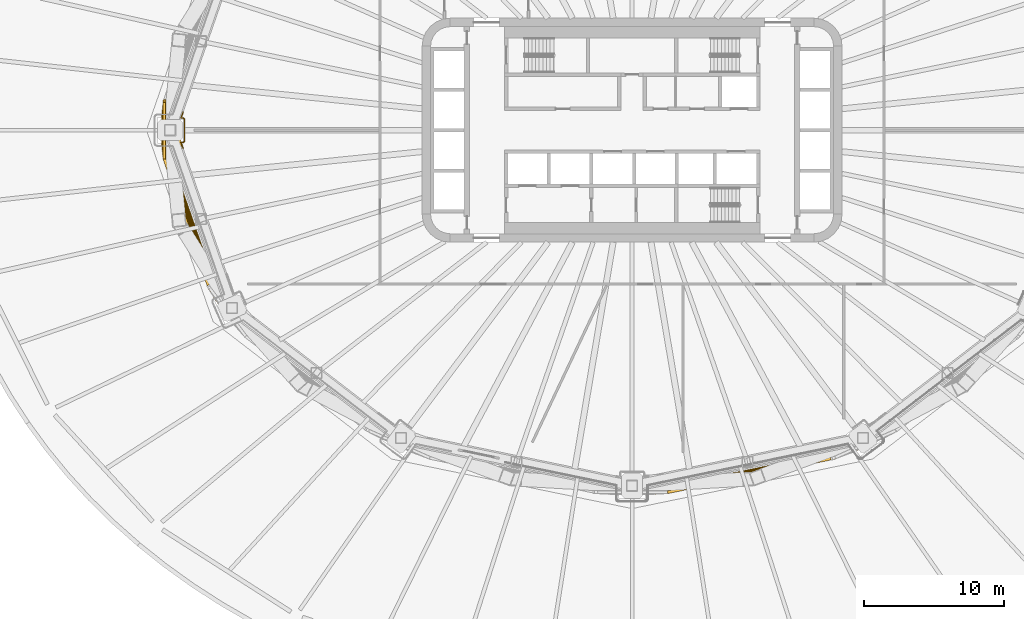
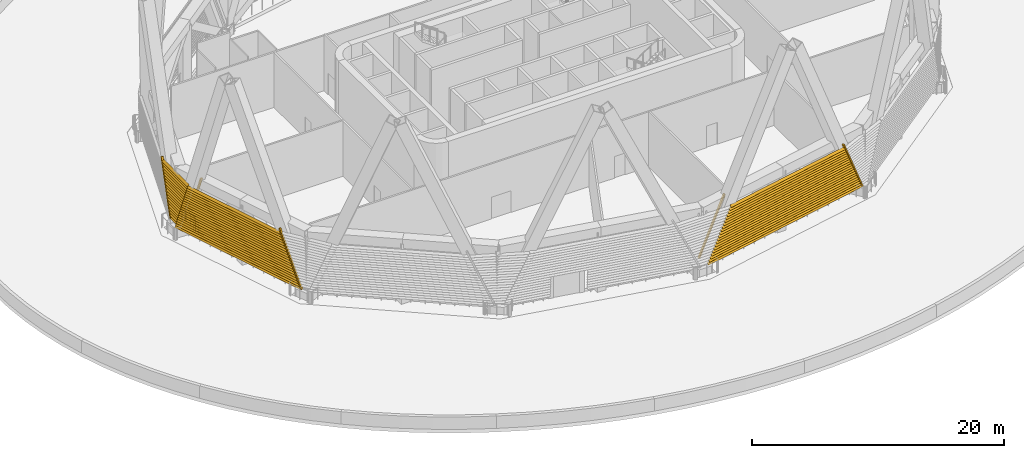
# One storey, part 18 of 27: 3 shading devices, 1 railing.
"""IFC4 building model written with IfcOpenShell, lengths in metres."""

from ifc_helpers import new_model, si_unit, direction, frame, origin, origin_2d, place, context, subcontext, project, spatial, rectangle, circle, extrude, material, type_object, element, save


model = new_model("IFC4")

# Units and contexts
model_context = context("Model", 3, precision=1e-05, world=origin(), true_north=direction((0.0, 1.0)))
body_context = subcontext(model_context, "Body", "Model", "MODEL_VIEW")
ifc_project = project(units=[si_unit("LENGTHUNIT", "METRE"), si_unit("AREAUNIT", "SQUARE_METRE"), si_unit("VOLUMEUNIT", "CUBIC_METRE"), si_unit("PLANEANGLEUNIT", "RADIAN"), si_unit("MASSUNIT", "GRAM", prefix="KILO")], contexts=[model_context])

# Site, building, storey
site_placement = place(None, origin())
site = spatial("IfcSite", under=ifc_project, at=site_placement, CompositionType="ELEMENT")
building_placement = place(site_placement, origin())
building = spatial("IfcBuilding", under=site, at=building_placement, Name="Sahrelin Media Tower", CompositionType="ELEMENT")
storey_placement = place(building_placement, frame((0.0, 0.0, 44.0)))
storey = spatial("IfcBuildingStorey", under=building, at=storey_placement, Name="L06", CompositionType="ELEMENT", Elevation=44.0)

# Railing
ifc_material_1 = material(Name="Stainless steel 316", Category="steel")
railing_type = type_object("IfcRailingType", Name="Maintenance platform guard", PredefinedType="GUARDRAIL", material=ifc_material_1)
railing_placement = place(storey_placement, frame((-32.07568359375, -1.2861328125, 0.0)))
element("IfcRailing", 1, at=railing_placement, inside=storey, type_object=railing_type, Name="Plant level edge guard 7", PredefinedType="GUARDRAIL", context=body_context, shape_type="SweptSolid", body=[
    extrude(circle(Radius=0.02392578125, at=origin_2d()), frame((0.0, 0.0, 1.17578125), z_axis=(-0.329165343973, 0.944272299883, 0.0), x_axis=(-0.944272299883, -0.329165343973, 0.0)), (0.0, 0.0, 1.0), 0.440673828125),
    extrude(circle(Radius=0.02392578125, at=origin_2d()), frame((-0.14501953125, 0.416015625, 1.17578125), z_axis=(1.0, 0.0, 0.0), x_axis=(0.0, 1.0, 0.0)), (0.0, 0.0, 1.0), 0.123291015625),
    extrude(circle(Radius=0.02392578125, at=origin_2d()), frame((-0.021728515625, 0.416015625, 1.17578125), z_axis=(0.997199309888, 0.074789948242, 0.0), x_axis=(-0.074789948242, 0.997199309888, 0.0)), (0.0, 0.0, 1.0), 0.009765625),
    extrude(circle(Radius=0.02392578125, at=origin_2d()), frame((-0.011962890625, 0.416748046875, 1.17578125), z_axis=(0.990341746674, 0.138647844534, 0.0), x_axis=(-0.138647844534, 0.990341746674, 0.0)), (0.0, 0.0, 1.0), 0.01220703125),
    extrude(circle(Radius=0.02392578125, at=origin_2d()), frame((0.000244140625, 0.41845703125, 1.17578125), z_axis=(0.965363393028, 0.260909025143, 0.0), x_axis=(-0.260909025143, 0.965363393028, 0.0)), (0.0, 0.0, 1.0), 0.00927734375),
    extrude(circle(Radius=0.02392578125, at=origin_2d()), frame((0.00927734375, 0.4208984375, 1.17578125), z_axis=(0.952215316532, 0.305427554359, 0.0), x_axis=(-0.305427554359, 0.952215316532, 0.0)), (0.0, 0.0, 1.0), 0.013671875),
    extrude(circle(Radius=0.02392578125, at=origin_2d()), frame((0.022216796875, 0.425048828125, 1.17578125), z_axis=(0.886914084167, 0.461934418837, 0.0), x_axis=(-0.461934418837, 0.886914084167, 0.0)), (0.0, 0.0, 1.0), 0.01318359375),
    extrude(circle(Radius=0.02392578125, at=origin_2d()), frame((0.033935546875, 0.43115234375, 1.17578125), z_axis=(0.860291533634, 0.509802390302, 0.0), x_axis=(-0.509802390302, 0.860291533634, 0.0)), (0.0, 0.0, 1.0), 0.007568359375),
    extrude(circle(Radius=0.02392578125, at=origin_2d()), frame((0.04052734375, 0.43505859375, 1.17578125), z_axis=(0.821588113591, 0.570081548206, 0.0), x_axis=(-0.570081548206, 0.821588113591, 0.0)), (0.0, 0.0, 1.0), 0.0146484375),
    extrude(circle(Radius=0.02392578125, at=origin_2d()), frame((0.052490234375, 0.443359375, 1.17578125), z_axis=(0.707106781187, 0.707106781187, 0.0), x_axis=(-0.707106781187, 0.707106781187, 0.0)), (0.0, 0.0, 1.0), 0.011474609375),
    extrude(circle(Radius=0.02392578125, at=origin_2d()), frame((0.060546875, 0.451416015625, 1.17578125), z_axis=(0.707106781187, 0.707106781187, 0.0), x_axis=(-0.707106781187, 0.707106781187, 0.0)), (0.0, 0.0, 1.0), 0.010986328125),
    extrude(circle(Radius=0.02392578125, at=origin_2d()), frame((0.068359375, 0.459228515625, 1.17578125), z_axis=(0.562310021407, 0.82692650207, 0.0), x_axis=(-0.82692650207, 0.562310021407, 0.0)), (0.0, 0.0, 1.0), 0.0146484375),
    extrude(circle(Radius=0.02392578125, at=origin_2d()), frame((0.07666015625, 0.471435546875, 1.17578125), z_axis=(0.509802390302, 0.860291533634, 0.0), x_axis=(-0.860291533634, 0.509802390302, 0.0)), (0.0, 0.0, 1.0), 0.007568359375),
    extrude(circle(Radius=0.02392578125, at=origin_2d()), frame((0.08056640625, 0.47802734375, 1.17578125), z_axis=(0.461934418837, 0.886914084167, 0.0), x_axis=(-0.886914084167, 0.461934418837, 0.0)), (0.0, 0.0, 1.0), 0.01318359375),
    extrude(circle(Radius=0.02392578125, at=origin_2d()), frame((0.086669921875, 0.48974609375, 1.17578125), z_axis=(0.310738856307, 0.950495325176, 0.0), x_axis=(-0.950495325176, 0.310738856307, 0.0)), (0.0, 0.0, 1.0), 0.013427734375),
    extrude(circle(Radius=0.02392578125, at=origin_2d()), frame((0.0908203125, 0.50244140625, 1.17578125), z_axis=(0.25449329928, 0.967074537263, 0.0), x_axis=(-0.967074537263, 0.25449329928, 0.0)), (0.0, 0.0, 1.0), 0.009521484375),
    extrude(circle(Radius=0.02392578125, at=origin_2d()), frame((0.09326171875, 0.51171875, 1.17578125), z_axis=(0.157990501107, 0.987440631917, 0.0), x_axis=(-0.987440631917, 0.157990501107, 0.0)), (0.0, 0.0, 1.0), 0.012451171875),
    extrude(circle(Radius=0.02392578125, at=origin_2d()), frame((0.09521484375, 0.52392578125, 1.17578125), z_axis=(0.049937616944, 0.998752338878, 0.0), x_axis=(-0.998752338878, 0.049937616944, 0.0)), (0.0, 0.0, 1.0), 0.009765625),
    extrude(circle(Radius=0.02392578125, at=origin_2d()), frame((0.095703125, 0.53369140625, 1.17578125), z_axis=(0.0, 1.0, 0.0), x_axis=(-1.0, 0.0, 0.0)), (0.0, 0.0, 1.0), 1.5048828125),
    extrude(circle(Radius=0.02392578125, at=origin_2d()), frame((0.095703125, 2.03857421875, 1.17578125), z_axis=(-0.049937616944, 0.998752338878, 0.0), x_axis=(-0.998752338878, -0.049937616944, 0.0)), (0.0, 0.0, 1.0), 0.009765625),
    extrude(circle(Radius=0.02392578125, at=origin_2d()), frame((0.09521484375, 2.04833984375, 1.17578125), z_axis=(-0.157990501107, 0.987440631917, 0.0), x_axis=(-0.987440631917, -0.157990501107, 0.0)), (0.0, 0.0, 1.0), 0.012451171875),
    extrude(circle(Radius=0.02392578125, at=origin_2d()), frame((0.09326171875, 2.060546875, 1.17578125), z_axis=(-0.25449329928, 0.967074537263, 0.0), x_axis=(-0.967074537263, -0.25449329928, 0.0)), (0.0, 0.0, 1.0), 0.009521484375),
    extrude(circle(Radius=0.02392578125, at=origin_2d()), frame((0.0908203125, 2.06982421875, 1.17578125), z_axis=(-0.310738856307, 0.950495325176, 0.0), x_axis=(-0.950495325176, -0.310738856307, 0.0)), (0.0, 0.0, 1.0), 0.013427734375),
    extrude(circle(Radius=0.02392578125, at=origin_2d()), frame((0.086669921875, 2.08251953125, 1.17578125), z_axis=(-0.461934418837, 0.886914084167, 0.0), x_axis=(-0.886914084167, -0.461934418837, 0.0)), (0.0, 0.0, 1.0), 0.01318359375),
    extrude(circle(Radius=0.02392578125, at=origin_2d()), frame((0.08056640625, 2.09423828125, 1.17578125), z_axis=(-0.509802390302, 0.860291533634, 0.0), x_axis=(-0.860291533634, -0.509802390302, 0.0)), (0.0, 0.0, 1.0), 0.007568359375),
    extrude(circle(Radius=0.02392578125, at=origin_2d()), frame((0.07666015625, 2.100830078125, 1.17578125), z_axis=(-0.562310021407, 0.82692650207, 0.0), x_axis=(-0.82692650207, -0.562310021407, 0.0)), (0.0, 0.0, 1.0), 0.0146484375),
    extrude(circle(Radius=0.02392578125, at=origin_2d()), frame((0.068359375, 2.113037109375, 1.17578125), z_axis=(-0.707106781187, 0.707106781187, 0.0), x_axis=(-0.707106781187, -0.707106781187, 0.0)), (0.0, 0.0, 1.0), 0.010986328125),
    extrude(circle(Radius=0.02392578125, at=origin_2d()), frame((0.060546875, 2.120849609375, 1.17578125), z_axis=(-0.707106781187, 0.707106781187, 0.0), x_axis=(-0.707106781187, -0.707106781187, 0.0)), (0.0, 0.0, 1.0), 0.011474609375),
    extrude(circle(Radius=0.02392578125, at=origin_2d()), frame((0.052490234375, 2.12890625, 1.17578125), z_axis=(-0.821588113591, 0.570081548206, 0.0), x_axis=(-0.570081548206, -0.821588113591, 0.0)), (0.0, 0.0, 1.0), 0.0146484375),
    extrude(circle(Radius=0.02392578125, at=origin_2d()), frame((0.04052734375, 2.13720703125, 1.17578125), z_axis=(-0.860291533634, 0.509802390302, 0.0), x_axis=(-0.509802390302, -0.860291533634, 0.0)), (0.0, 0.0, 1.0), 0.007568359375),
    extrude(circle(Radius=0.02392578125, at=origin_2d()), frame((0.033935546875, 2.14111328125, 1.17578125), z_axis=(-0.886914084167, 0.461934418837, 0.0), x_axis=(-0.461934418837, -0.886914084167, 0.0)), (0.0, 0.0, 1.0), 0.01318359375),
    extrude(circle(Radius=0.02392578125, at=origin_2d()), frame((0.022216796875, 2.147216796875, 1.17578125), z_axis=(-0.952215316532, 0.305427554359, 0.0), x_axis=(-0.305427554359, -0.952215316532, 0.0)), (0.0, 0.0, 1.0), 0.013671875),
    extrude(circle(Radius=0.02392578125, at=origin_2d()), frame((0.00927734375, 2.1513671875, 1.17578125), z_axis=(-0.965363393028, 0.260909025143, 0.0), x_axis=(-0.260909025143, -0.965363393028, 0.0)), (0.0, 0.0, 1.0), 0.00927734375),
    extrude(circle(Radius=0.02392578125, at=origin_2d()), frame((0.000244140625, 2.15380859375, 1.17578125), z_axis=(-0.990341746674, 0.138647844534, 0.0), x_axis=(-0.138647844534, -0.990341746674, 0.0)), (0.0, 0.0, 1.0), 0.01220703125),
    extrude(circle(Radius=0.02392578125, at=origin_2d()), frame((-0.011962890625, 2.155517578125, 1.17578125), z_axis=(-0.997199309888, 0.074789948242, 0.0), x_axis=(-0.074789948242, -0.997199309888, 0.0)), (0.0, 0.0, 1.0), 0.009765625),
    extrude(circle(Radius=0.02392578125, at=origin_2d()), frame((-0.021728515625, 2.15625, 1.17578125), z_axis=(-1.0, 0.0, 0.0), x_axis=(0.0, -1.0, 0.0)), (0.0, 0.0, 1.0), 0.123291015625),
    extrude(circle(Radius=0.02392578125, at=origin_2d()), frame((-0.14501953125, 2.15625, 1.17578125), z_axis=(0.329165343973, 0.944272299883, 0.0), x_axis=(-0.944272299883, 0.329165343973, 0.0)), (0.0, 0.0, 1.0), 0.440673828125),
    extrude(circle(Radius=0.02099609375, at=origin_2d()), origin(), (0.0, 0.0, 1.0), 1.15185546875),
    extrude(circle(Radius=0.02099609375, at=origin_2d()), frame((-0.14501953125, 0.416015625, 0.0)), (0.0, 0.0, 1.0), 1.15185546875),
    extrude(circle(Radius=0.02099609375, at=origin_2d()), frame((-0.021728515625, 0.416015625, 0.0)), (0.0, 0.0, 1.0), 1.15185546875),
    extrude(circle(Radius=0.02099609375, at=origin_2d()), frame((-0.011962890625, 0.416748046875, 0.0)), (0.0, 0.0, 1.0), 1.15185546875),
    extrude(circle(Radius=0.02099609375, at=origin_2d()), frame((0.000244140625, 0.41845703125, 0.0)), (0.0, 0.0, 1.0), 1.15185546875),
    extrude(circle(Radius=0.02099609375, at=origin_2d()), frame((0.00927734375, 0.4208984375, 0.0)), (0.0, 0.0, 1.0), 1.15185546875),
    extrude(circle(Radius=0.02099609375, at=origin_2d()), frame((0.022216796875, 0.425048828125, 0.0)), (0.0, 0.0, 1.0), 1.15185546875),
    extrude(circle(Radius=0.02099609375, at=origin_2d()), frame((0.033935546875, 0.43115234375, 0.0)), (0.0, 0.0, 1.0), 1.15185546875),
    extrude(circle(Radius=0.02099609375, at=origin_2d()), frame((0.04052734375, 0.43505859375, 0.0)), (0.0, 0.0, 1.0), 1.15185546875),
    extrude(circle(Radius=0.02099609375, at=origin_2d()), frame((0.052490234375, 0.443359375, 0.0)), (0.0, 0.0, 1.0), 1.15185546875),
    extrude(circle(Radius=0.02099609375, at=origin_2d()), frame((0.060546875, 0.451416015625, 0.0)), (0.0, 0.0, 1.0), 1.15185546875),
    extrude(circle(Radius=0.02099609375, at=origin_2d()), frame((0.068359375, 0.459228515625, 0.0)), (0.0, 0.0, 1.0), 1.15185546875),
    extrude(circle(Radius=0.02099609375, at=origin_2d()), frame((0.07666015625, 0.471435546875, 0.0)), (0.0, 0.0, 1.0), 1.15185546875),
    extrude(circle(Radius=0.02099609375, at=origin_2d()), frame((0.08056640625, 0.47802734375, 0.0)), (0.0, 0.0, 1.0), 1.15185546875),
    extrude(circle(Radius=0.02099609375, at=origin_2d()), frame((0.086669921875, 0.48974609375, 0.0)), (0.0, 0.0, 1.0), 1.15185546875),
    extrude(circle(Radius=0.02099609375, at=origin_2d()), frame((0.0908203125, 0.50244140625, 0.0)), (0.0, 0.0, 1.0), 1.15185546875),
    extrude(circle(Radius=0.02099609375, at=origin_2d()), frame((0.09326171875, 0.51171875, 0.0)), (0.0, 0.0, 1.0), 1.15185546875),
    extrude(circle(Radius=0.02099609375, at=origin_2d()), frame((0.09521484375, 0.52392578125, 0.0)), (0.0, 0.0, 1.0), 1.15185546875),
    extrude(circle(Radius=0.02099609375, at=origin_2d()), frame((0.095703125, 0.53369140625, 0.0)), (0.0, 0.0, 1.0), 1.15185546875),
    extrude(circle(Radius=0.02099609375, at=origin_2d()), frame((0.095703125, 1.2861328125, 0.0)), (0.0, 0.0, 1.0), 1.15185546875),
    extrude(circle(Radius=0.02099609375, at=origin_2d()), frame((0.095703125, 2.03857421875, 0.0)), (0.0, 0.0, 1.0), 1.15185546875),
    extrude(circle(Radius=0.02099609375, at=origin_2d()), frame((0.09521484375, 2.04833984375, 0.0)), (0.0, 0.0, 1.0), 1.15185546875),
    extrude(circle(Radius=0.02099609375, at=origin_2d()), frame((0.09326171875, 2.060546875, 0.0)), (0.0, 0.0, 1.0), 1.15185546875),
    extrude(circle(Radius=0.02099609375, at=origin_2d()), frame((0.0908203125, 2.06982421875, 0.0)), (0.0, 0.0, 1.0), 1.15185546875),
    extrude(circle(Radius=0.02099609375, at=origin_2d()), frame((0.086669921875, 2.08251953125, 0.0)), (0.0, 0.0, 1.0), 1.15185546875),
    extrude(circle(Radius=0.02099609375, at=origin_2d()), frame((0.08056640625, 2.09423828125, 0.0)), (0.0, 0.0, 1.0), 1.15185546875),
    extrude(circle(Radius=0.02099609375, at=origin_2d()), frame((0.07666015625, 2.100830078125, 0.0)), (0.0, 0.0, 1.0), 1.15185546875),
    extrude(circle(Radius=0.02099609375, at=origin_2d()), frame((0.068359375, 2.113037109375, 0.0)), (0.0, 0.0, 1.0), 1.15185546875),
    extrude(circle(Radius=0.02099609375, at=origin_2d()), frame((0.060546875, 2.120849609375, 0.0)), (0.0, 0.0, 1.0), 1.15185546875),
    extrude(circle(Radius=0.02099609375, at=origin_2d()), frame((0.052490234375, 2.12890625, 0.0)), (0.0, 0.0, 1.0), 1.15185546875),
    extrude(circle(Radius=0.02099609375, at=origin_2d()), frame((0.04052734375, 2.13720703125, 0.0)), (0.0, 0.0, 1.0), 1.15185546875),
    extrude(circle(Radius=0.02099609375, at=origin_2d()), frame((0.033935546875, 2.14111328125, 0.0)), (0.0, 0.0, 1.0), 1.15185546875),
    extrude(circle(Radius=0.02099609375, at=origin_2d()), frame((0.022216796875, 2.147216796875, 0.0)), (0.0, 0.0, 1.0), 1.15185546875),
    extrude(circle(Radius=0.02099609375, at=origin_2d()), frame((0.00927734375, 2.1513671875, 0.0)), (0.0, 0.0, 1.0), 1.15185546875),
    extrude(circle(Radius=0.02099609375, at=origin_2d()), frame((0.000244140625, 2.15380859375, 0.0)), (0.0, 0.0, 1.0), 1.15185546875),
    extrude(circle(Radius=0.02099609375, at=origin_2d()), frame((-0.011962890625, 2.155517578125, 0.0)), (0.0, 0.0, 1.0), 1.15185546875),
    extrude(circle(Radius=0.02099609375, at=origin_2d()), frame((-0.021728515625, 2.15625, 0.0)), (0.0, 0.0, 1.0), 1.15185546875),
    extrude(circle(Radius=0.02099609375, at=origin_2d()), frame((-0.14501953125, 2.15625, 0.0)), (0.0, 0.0, 1.0), 1.15185546875),
    extrude(circle(Radius=0.02099609375, at=origin_2d()), frame((0.0, 2.572265625, 0.0)), (0.0, 0.0, 1.0), 1.15185546875),
])

# Shading devices
ifc_material_2 = material(Name="Champagne anodised aluminium 6063-T6", Category="aluminium")
shading_device_type = type_object("IfcShadingDeviceType", Name="Sand-rejection louvre band", PredefinedType="USERDEFINED", material=ifc_material_2)
shading_device_1_placement = place(storey_placement, frame((-33.0, 0.0, 0.0), z_axis=(0.0, 0.0, 1.0), x_axis=(0.0, 1.0, 0.0)))
element("IfcShadingDevice", 2, at=shading_device_1_placement, inside=storey, type_object=shading_device_type, Name="L06:LOUVRE:L06-12", ObjectType="LOUVRE", PredefinedType="USERDEFINED", context=body_context, shape_type="SweptSolid", body=[
    extrude(rectangle(XDim=0.199951171875, YDim=0.1201171875, at=origin_2d()), frame((0.427001953125, 0.561279296875, 1.050048828125), z_axis=(0.331165646948, -0.032336356103, 0.943018384951), x_axis=(0.097181868891, 0.99526663983, 0.0)), (0.0, 0.0, 1.0), 5.1943359375),
    extrude(rectangle(XDim=0.199951171875, YDim=0.1201171875, at=origin_2d()), frame((-0.310302734375, -0.633056640625, 1.050048828125), z_axis=(-0.331166149897, -0.032289404624, 0.943019817136), x_axis=(0.09704194733, -0.995280292409, 0.0)), (0.0, 0.0, 1.0), 5.1943359375),
    extrude(rectangle(XDim=0.25, YDim=0.02001953125, at=origin_2d()), frame((0.46240234375, 0.560546875, 1.14990234375), z_axis=(-1.0, 0.0, 0.0), x_axis=(0.0, -0.766044443119, 0.642787609687)), (0.0, 0.0, 1.0), 0.9248046875),
    extrude(rectangle(XDim=0.25, YDim=0.02001953125, at=origin_2d()), frame((0.550048828125, 0.552001953125, 1.39990234375), z_axis=(-1.0, 0.0, 0.0), x_axis=(0.0, -0.766044443119, 0.642787609687)), (0.0, 0.0, 1.0), 1.10009765625),
    extrude(rectangle(XDim=0.25, YDim=0.02001953125, at=origin_2d()), frame((0.637939453125, 0.54345703125, 1.64990234375), z_axis=(-1.0, 0.0, 0.0), x_axis=(0.0, -0.766044443119, 0.642787609687)), (0.0, 0.0, 1.0), 1.27587890625),
    extrude(rectangle(XDim=0.25, YDim=0.02001953125, at=origin_2d()), frame((0.7255859375, 0.534912109375, 1.89990234375), z_axis=(-1.0, 0.0, 0.0), x_axis=(0.0, -0.766044443119, 0.642787609687)), (0.0, 0.0, 1.0), 1.451171875),
    extrude(rectangle(XDim=0.25, YDim=0.02001953125, at=origin_2d()), frame((0.8134765625, 0.5263671875, 2.14990234375), z_axis=(-1.0, 0.0, 0.0), x_axis=(0.0, -0.766044443119, 0.642787609687)), (0.0, 0.0, 1.0), 1.626953125),
    extrude(rectangle(XDim=0.25, YDim=0.02001953125, at=origin_2d()), frame((0.9013671875, 0.517822265625, 2.39990234375), z_axis=(-1.0, 0.0, 0.0), x_axis=(0.0, -0.766044443119, 0.642787609687)), (0.0, 0.0, 1.0), 1.802734375),
    extrude(rectangle(XDim=0.25, YDim=0.02001953125, at=origin_2d()), frame((0.989013671875, 0.50927734375, 2.64990234375), z_axis=(-1.0, 0.0, 0.0), x_axis=(0.0, -0.766044443119, 0.642787609687)), (0.0, 0.0, 1.0), 1.97802734375),
    extrude(rectangle(XDim=0.25, YDim=0.02001953125, at=origin_2d()), frame((1.076904296875, 0.500732421875, 2.89990234375), z_axis=(-1.0, 0.0, 0.0), x_axis=(0.0, -0.766044443119, 0.642787609687)), (0.0, 0.0, 1.0), 2.15380859375),
    extrude(rectangle(XDim=0.25, YDim=0.02001953125, at=origin_2d()), frame((1.16455078125, 0.4921875, 3.14990234375), z_axis=(-1.0, 0.0, 0.0), x_axis=(0.0, -0.766044443119, 0.642787609687)), (0.0, 0.0, 1.0), 2.3291015625),
    extrude(rectangle(XDim=0.25, YDim=0.02001953125, at=origin_2d()), frame((1.25244140625, 0.483642578125, 3.39990234375), z_axis=(-1.0, 0.0, 0.0), x_axis=(0.0, -0.766044443119, 0.642787609687)), (0.0, 0.0, 1.0), 2.5048828125),
    extrude(rectangle(XDim=0.25, YDim=0.02001953125, at=origin_2d()), frame((1.340087890625, 0.47509765625, 3.64990234375), z_axis=(-1.0, 0.0, 0.0), x_axis=(0.0, -0.766044443119, 0.642787609687)), (0.0, 0.0, 1.0), 2.68017578125),
    extrude(rectangle(XDim=0.25, YDim=0.02001953125, at=origin_2d()), frame((1.427978515625, 0.46630859375, 3.89990234375), z_axis=(-1.0, 0.0, 0.0), x_axis=(0.0, -0.766044443119, 0.642787609687)), (0.0, 0.0, 1.0), 2.85595703125),
    extrude(rectangle(XDim=0.25, YDim=0.02001953125, at=origin_2d()), frame((1.515869140625, 0.4580078125, 4.14990234375), z_axis=(-1.0, 0.0, 0.0), x_axis=(0.0, -0.766044443119, 0.642787609687)), (0.0, 0.0, 1.0), 3.03173828125),
    extrude(rectangle(XDim=0.25, YDim=0.02001953125, at=origin_2d()), frame((1.603515625, 0.44921875, 4.39990234375), z_axis=(-1.0, 0.0, 0.0), x_axis=(0.0, -0.766044443119, 0.642787609687)), (0.0, 0.0, 1.0), 3.20703125),
    extrude(rectangle(XDim=0.25, YDim=0.02001953125, at=origin_2d()), frame((1.69140625, 0.440673828125, 4.64990234375), z_axis=(-1.0, 0.0, 0.0), x_axis=(0.0, -0.766044443119, 0.642787609687)), (0.0, 0.0, 1.0), 3.3828125),
    extrude(rectangle(XDim=0.25, YDim=0.02001953125, at=origin_2d()), frame((1.779052734375, 0.43212890625, 4.89990234375), z_axis=(-1.0, 0.0, 0.0), x_axis=(0.0, -0.766044443119, 0.642787609687)), (0.0, 0.0, 1.0), 3.55810546875),
    extrude(rectangle(XDim=0.25, YDim=0.02001953125, at=origin_2d()), frame((1.866943359375, 0.423583984375, 5.14990234375), z_axis=(-1.0, 0.0, 0.0), x_axis=(0.0, -0.766044443119, 0.642787609687)), (0.0, 0.0, 1.0), 3.73388671875),
    extrude(rectangle(XDim=0.25, YDim=0.02001953125, at=origin_2d()), frame((1.95458984375, 0.4150390625, 5.39990234375), z_axis=(-1.0, 0.0, 0.0), x_axis=(0.0, -0.766044443119, 0.642787609687)), (0.0, 0.0, 1.0), 3.9091796875),
    extrude(rectangle(XDim=0.25, YDim=0.02001953125, at=origin_2d()), frame((2.04248046875, 0.406494140625, 5.64990234375), z_axis=(-1.0, 0.0, 0.0), x_axis=(0.0, -0.766044443119, 0.642787609687)), (0.0, 0.0, 1.0), 4.0849609375),
])
shading_device_2_placement = place(storey_placement, frame((-30.802734375, -6.3115234375, 0.0), z_axis=(0.0, 0.0, 1.0), x_axis=(-0.32879986848, 0.94439962224, 0.0)))
element("IfcShadingDevice", 3, at=shading_device_2_placement, inside=storey, type_object=shading_device_type, Name="L06:LOUVRE:L06-13", ObjectType="LOUVRE", PredefinedType="USERDEFINED", context=body_context, shape_type="SweptSolid", body=[
    extrude(rectangle(XDim=0.199951171875, YDim=0.1201171875, at=origin_2d()), frame((6.31884765625, -0.529052734375, 0.64990234375), z_axis=(-0.323326366317, 0.078343964315, 0.943038856092), x_axis=(-0.235491615901, -0.971876380431, 0.0)), (0.0, 0.0, 1.0), 5.61865234375),
    extrude(rectangle(XDim=0.199951171875, YDim=0.1201171875, at=origin_2d()), frame((-6.660400390625, 0.63916015625, 0.64990234375), z_axis=(0.341735935027, 0.077806527447, 0.936569642364), x_axis=(-0.22199893607, 0.975046907786, 0.0)), (0.0, 0.0, 1.0), 5.657470703125),
    extrude(rectangle(XDim=0.25, YDim=0.02001953125, at=origin_2d()), frame((6.5712890625, 0.662353515625, 0.75), z_axis=(-1.0, 0.0, 0.0), x_axis=(0.0, -0.766044443119, 0.642787609687)), (0.0, 0.0, 1.0), 13.19873046875),
    extrude(rectangle(XDim=0.25, YDim=0.02001953125, at=origin_2d()), frame((6.485595703125, 0.68310546875, 1.0), z_axis=(-1.0, 0.0, 0.0), x_axis=(0.0, -0.766044443119, 0.642787609687)), (0.0, 0.0, 1.0), 13.021728515625),
    extrude(rectangle(XDim=0.25, YDim=0.02001953125, at=origin_2d()), frame((6.39990234375, 0.703857421875, 1.25), z_axis=(-1.0, 0.0, 0.0), x_axis=(0.0, -0.766044443119, 0.642787609687)), (0.0, 0.0, 1.0), 12.844970703125),
    extrude(rectangle(XDim=0.25, YDim=0.02001953125, at=origin_2d()), frame((6.314208984375, 0.724609375, 1.5), z_axis=(-1.0, 0.0, 0.0), x_axis=(0.0, -0.766044443119, 0.642787609687)), (0.0, 0.0, 1.0), 12.66796875),
    extrude(rectangle(XDim=0.25, YDim=0.02001953125, at=origin_2d()), frame((6.228515625, 0.745361328125, 1.75), z_axis=(-1.0, 0.0, 0.0), x_axis=(0.0, -0.766044443119, 0.642787609687)), (0.0, 0.0, 1.0), 12.4912109375),
    extrude(rectangle(XDim=0.25, YDim=0.02001953125, at=origin_2d()), frame((6.142578125, 0.76611328125, 2.0), z_axis=(-1.0, 0.0, 0.0), x_axis=(0.0, -0.766044443119, 0.642787609687)), (0.0, 0.0, 1.0), 12.31396484375),
    extrude(rectangle(XDim=0.25, YDim=0.02001953125, at=origin_2d()), frame((6.056884765625, 0.787109375, 2.25), z_axis=(-1.0, 0.0, 0.0), x_axis=(0.0, -0.766044443119, 0.642787609687)), (0.0, 0.0, 1.0), 12.136962890625),
    extrude(rectangle(XDim=0.25, YDim=0.02001953125, at=origin_2d()), frame((5.97119140625, 0.8076171875, 2.5), z_axis=(-1.0, 0.0, 0.0), x_axis=(0.0, -0.766044443119, 0.642787609687)), (0.0, 0.0, 1.0), 11.960205078125),
    extrude(rectangle(XDim=0.25, YDim=0.02001953125, at=origin_2d()), frame((5.885498046875, 0.82861328125, 2.75), z_axis=(-1.0, 0.0, 0.0), x_axis=(0.0, -0.766044443119, 0.642787609687)), (0.0, 0.0, 1.0), 11.783203125),
    extrude(rectangle(XDim=0.25, YDim=0.02001953125, at=origin_2d()), frame((5.7998046875, 0.849365234375, 3.0), z_axis=(-1.0, 0.0, 0.0), x_axis=(0.0, -0.766044443119, 0.642787609687)), (0.0, 0.0, 1.0), 11.606201171875),
    extrude(rectangle(XDim=0.25, YDim=0.02001953125, at=origin_2d()), frame((5.714111328125, 0.8701171875, 3.25), z_axis=(-1.0, 0.0, 0.0), x_axis=(0.0, -0.766044443119, 0.642787609687)), (0.0, 0.0, 1.0), 11.42919921875),
    extrude(rectangle(XDim=0.25, YDim=0.02001953125, at=origin_2d()), frame((5.62841796875, 0.890869140625, 3.5), z_axis=(-1.0, 0.0, 0.0), x_axis=(0.0, -0.766044443119, 0.642787609687)), (0.0, 0.0, 1.0), 11.25244140625),
    extrude(rectangle(XDim=0.25, YDim=0.02001953125, at=origin_2d()), frame((5.542724609375, 0.91162109375, 3.75), z_axis=(-1.0, 0.0, 0.0), x_axis=(0.0, -0.766044443119, 0.642787609687)), (0.0, 0.0, 1.0), 11.075439453125),
    extrude(rectangle(XDim=0.25, YDim=0.02001953125, at=origin_2d()), frame((5.45703125, 0.932373046875, 4.0), z_axis=(-1.0, 0.0, 0.0), x_axis=(0.0, -0.766044443119, 0.642787609687)), (0.0, 0.0, 1.0), 10.898681640625),
    extrude(rectangle(XDim=0.25, YDim=0.02001953125, at=origin_2d()), frame((5.371337890625, 0.953125, 4.25), z_axis=(-1.0, 0.0, 0.0), x_axis=(0.0, -0.766044443119, 0.642787609687)), (0.0, 0.0, 1.0), 10.7216796875),
    extrude(rectangle(XDim=0.25, YDim=0.02001953125, at=origin_2d()), frame((5.285400390625, 0.973876953125, 4.5), z_axis=(-1.0, 0.0, 0.0), x_axis=(0.0, -0.766044443119, 0.642787609687)), (0.0, 0.0, 1.0), 10.54443359375),
    extrude(rectangle(XDim=0.25, YDim=0.02001953125, at=origin_2d()), frame((5.19970703125, 0.99462890625, 4.75), z_axis=(-1.0, 0.0, 0.0), x_axis=(0.0, -0.766044443119, 0.642787609687)), (0.0, 0.0, 1.0), 10.36767578125),
    extrude(rectangle(XDim=0.25, YDim=0.02001953125, at=origin_2d()), frame((5.114013671875, 1.015380859375, 5.0), z_axis=(-1.0, 0.0, 0.0), x_axis=(0.0, -0.766044443119, 0.642787609687)), (0.0, 0.0, 1.0), 10.190673828125),
    extrude(rectangle(XDim=0.25, YDim=0.02001953125, at=origin_2d()), frame((5.0283203125, 1.036376953125, 5.25), z_axis=(-1.0, 0.0, 0.0), x_axis=(0.0, -0.766044443119, 0.642787609687)), (0.0, 0.0, 1.0), 10.013916015625),
    extrude(rectangle(XDim=0.25, YDim=0.02001953125, at=origin_2d()), frame((4.942626953125, 1.056884765625, 5.5), z_axis=(-1.0, 0.0, 0.0), x_axis=(0.0, -0.766044443119, 0.642787609687)), (0.0, 0.0, 1.0), 9.8369140625),
])
shading_device_3_placement = place(storey_placement, frame((8.280029296875, -23.6923828125, 0.0), z_axis=(0.0, 0.0, 1.0), x_axis=(-0.979386112403, -0.201997135701, 0.0)))
element("IfcShadingDevice", 4, at=shading_device_3_placement, inside=storey, type_object=shading_device_type, Name="L06:LOUVRE:L06-19", ObjectType="LOUVRE", PredefinedType="USERDEFINED", context=body_context, shape_type="SweptSolid", body=[
    extrude(rectangle(XDim=0.199951171875, YDim=0.1201171875, at=origin_2d()), frame((8.073486328125, -0.550537109375, 0.64990234375), z_axis=(-0.41124293034, 0.06030557187, 0.909528718759), x_axis=(-0.145090498409, -0.989418388384, 0.0)), (0.0, 0.0, 1.0), 5.82568359375),
    extrude(rectangle(XDim=0.199951171875, YDim=0.1201171875, at=origin_2d()), frame((-8.200927734375, 0.63623046875, 0.64990234375), z_axis=(0.397844932486, 0.060739684349, 0.91543983988), x_axis=(-0.150922980828, 0.988545524424, 0.0)), (0.0, 0.0, 1.0), 5.7880859375),
    extrude(rectangle(XDim=0.25, YDim=0.02001953125, at=origin_2d()), frame((8.203369140625, 0.64990234375, 0.75), z_axis=(-1.0, 0.0, 0.0), x_axis=(0.0, -0.766044443119, 0.642787609687)), (0.0, 0.0, 1.0), 16.36181640625),
    extrude(rectangle(XDim=0.25, YDim=0.02001953125, at=origin_2d()), frame((8.09033203125, 0.666259765625, 1.0), z_axis=(-1.0, 0.0, 0.0), x_axis=(0.0, -0.766044443119, 0.642787609687)), (0.0, 0.0, 1.0), 16.14013671875),
    extrude(rectangle(XDim=0.25, YDim=0.02001953125, at=origin_2d()), frame((7.977294921875, 0.682861328125, 1.25), z_axis=(-1.0, 0.0, 0.0), x_axis=(0.0, -0.766044443119, 0.642787609687)), (0.0, 0.0, 1.0), 15.918701171875),
    extrude(rectangle(XDim=0.25, YDim=0.02001953125, at=origin_2d()), frame((7.8642578125, 0.699462890625, 1.5), z_axis=(-1.0, 0.0, 0.0), x_axis=(0.0, -0.766044443119, 0.642787609687)), (0.0, 0.0, 1.0), 15.69677734375),
    extrude(rectangle(XDim=0.25, YDim=0.02001953125, at=origin_2d()), frame((7.751220703125, 0.716064453125, 1.75), z_axis=(-1.0, 0.0, 0.0), x_axis=(0.0, -0.766044443119, 0.642787609687)), (0.0, 0.0, 1.0), 15.475341796875),
    extrude(rectangle(XDim=0.25, YDim=0.02001953125, at=origin_2d()), frame((7.63818359375, 0.732666015625, 2.0), z_axis=(-1.0, 0.0, 0.0), x_axis=(0.0, -0.766044443119, 0.642787609687)), (0.0, 0.0, 1.0), 15.25341796875),
    extrude(rectangle(XDim=0.25, YDim=0.02001953125, at=origin_2d()), frame((7.525146484375, 0.749267578125, 2.25), z_axis=(-1.0, 0.0, 0.0), x_axis=(0.0, -0.766044443119, 0.642787609687)), (0.0, 0.0, 1.0), 15.03173828125),
    extrude(rectangle(XDim=0.25, YDim=0.02001953125, at=origin_2d()), frame((7.412109375, 0.765869140625, 2.5), z_axis=(-1.0, 0.0, 0.0), x_axis=(0.0, -0.766044443119, 0.642787609687)), (0.0, 0.0, 1.0), 14.81005859375),
    extrude(rectangle(XDim=0.25, YDim=0.02001953125, at=origin_2d()), frame((7.299072265625, 0.782470703125, 2.75), z_axis=(-1.0, 0.0, 0.0), x_axis=(0.0, -0.766044443119, 0.642787609687)), (0.0, 0.0, 1.0), 14.58837890625),
    extrude(rectangle(XDim=0.25, YDim=0.02001953125, at=origin_2d()), frame((7.18603515625, 0.799072265625, 3.0), z_axis=(-1.0, 0.0, 0.0), x_axis=(0.0, -0.766044443119, 0.642787609687)), (0.0, 0.0, 1.0), 14.366943359375),
    extrude(rectangle(XDim=0.25, YDim=0.02001953125, at=origin_2d()), frame((7.072998046875, 0.815673828125, 3.25), z_axis=(-1.0, 0.0, 0.0), x_axis=(0.0, -0.766044443119, 0.642787609687)), (0.0, 0.0, 1.0), 14.14501953125),
    extrude(rectangle(XDim=0.25, YDim=0.02001953125, at=origin_2d()), frame((6.9599609375, 0.832275390625, 3.5), z_axis=(-1.0, 0.0, 0.0), x_axis=(0.0, -0.766044443119, 0.642787609687)), (0.0, 0.0, 1.0), 13.92333984375),
    extrude(rectangle(XDim=0.25, YDim=0.02001953125, at=origin_2d()), frame((6.846923828125, 0.848876953125, 3.75), z_axis=(-1.0, 0.0, 0.0), x_axis=(0.0, -0.766044443119, 0.642787609687)), (0.0, 0.0, 1.0), 13.70166015625),
    extrude(rectangle(XDim=0.25, YDim=0.02001953125, at=origin_2d()), frame((6.73388671875, 0.865234375, 4.0), z_axis=(-1.0, 0.0, 0.0), x_axis=(0.0, -0.766044443119, 0.642787609687)), (0.0, 0.0, 1.0), 13.47998046875),
    extrude(rectangle(XDim=0.25, YDim=0.02001953125, at=origin_2d()), frame((6.620849609375, 0.8818359375, 4.25), z_axis=(-1.0, 0.0, 0.0), x_axis=(0.0, -0.766044443119, 0.642787609687)), (0.0, 0.0, 1.0), 13.258544921875),
    extrude(rectangle(XDim=0.25, YDim=0.02001953125, at=origin_2d()), frame((6.5078125, 0.8984375, 4.5), z_axis=(-1.0, 0.0, 0.0), x_axis=(0.0, -0.766044443119, 0.642787609687)), (0.0, 0.0, 1.0), 13.03662109375),
    extrude(rectangle(XDim=0.25, YDim=0.02001953125, at=origin_2d()), frame((6.394775390625, 0.9150390625, 4.75), z_axis=(-1.0, 0.0, 0.0), x_axis=(0.0, -0.766044443119, 0.642787609687)), (0.0, 0.0, 1.0), 12.815185546875),
    extrude(rectangle(XDim=0.25, YDim=0.02001953125, at=origin_2d()), frame((6.28173828125, 0.931640625, 5.0), z_axis=(-1.0, 0.0, 0.0), x_axis=(0.0, -0.766044443119, 0.642787609687)), (0.0, 0.0, 1.0), 12.59326171875),
    extrude(rectangle(XDim=0.25, YDim=0.02001953125, at=origin_2d()), frame((6.168701171875, 0.9482421875, 5.25), z_axis=(-1.0, 0.0, 0.0), x_axis=(0.0, -0.766044443119, 0.642787609687)), (0.0, 0.0, 1.0), 12.37158203125),
    extrude(rectangle(XDim=0.25, YDim=0.02001953125, at=origin_2d()), frame((6.0556640625, 0.96484375, 5.5), z_axis=(-1.0, 0.0, 0.0), x_axis=(0.0, -0.766044443119, 0.642787609687)), (0.0, 0.0, 1.0), 12.14990234375),
])

save(model, "model.ifc")
